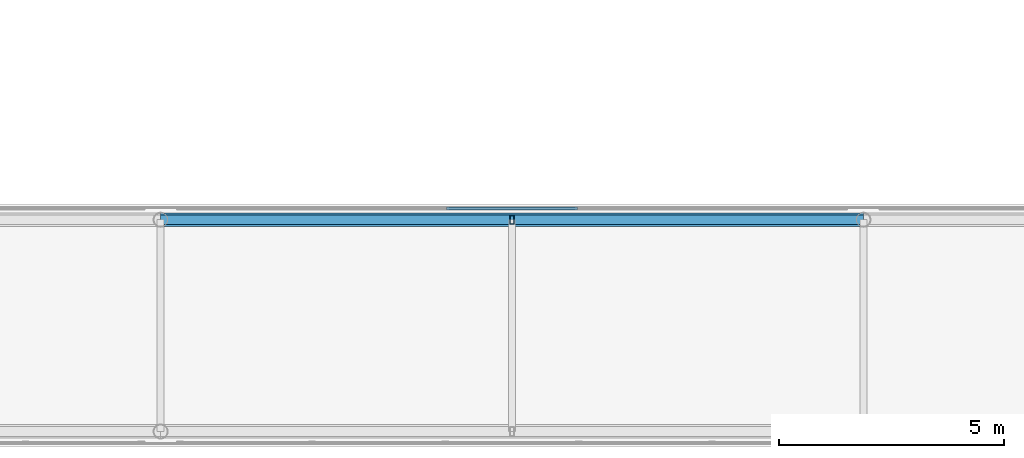
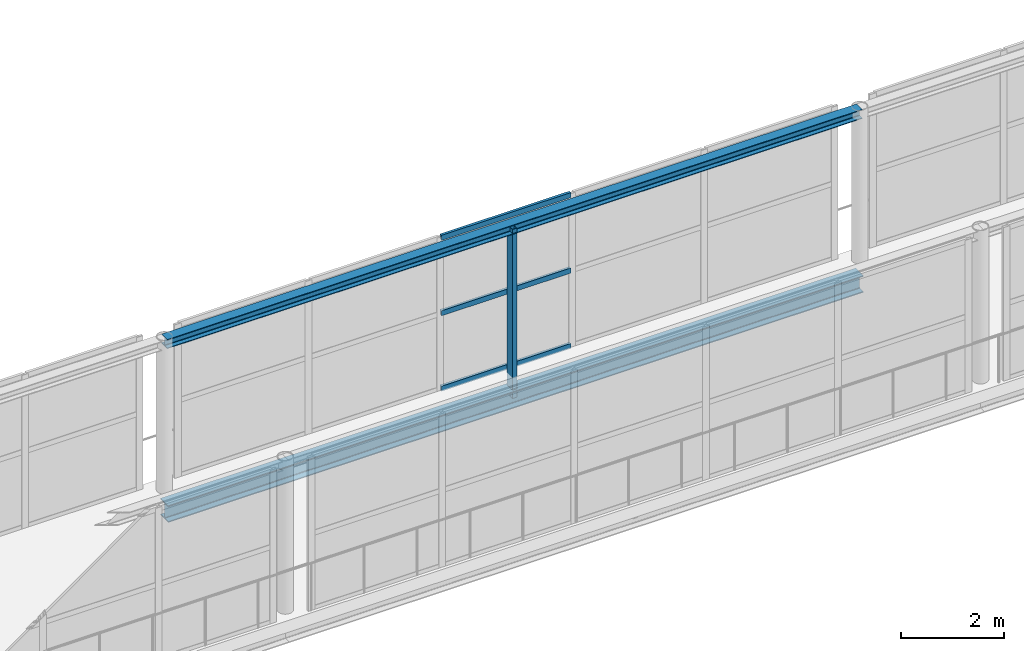
# One storey, part 79 of 175: 5 members, 1 beam, 1 element without a shape of its own.
"""IFC4 building model written with IfcOpenShell, lengths in metres."""

from ifc_helpers import new_model, si_unit, direction, frame, origin, origin_2d, place, context, subcontext, project, spatial, hollow_rectangle, i_section, extrude, material, layer, layer_set, material_profile, profile_set, type_object, element, aggregate, save


model = new_model("IFC4")

# Units and contexts
model_context = context("Model", 3, precision=1e-05, world=origin(), true_north=direction((0.0, 1.0)))
body_context = subcontext(model_context, "Body", "Model", "MODEL_VIEW")
ifc_project = project(units=[si_unit("LENGTHUNIT", "METRE"), si_unit("AREAUNIT", "SQUARE_METRE"), si_unit("VOLUMEUNIT", "CUBIC_METRE"), si_unit("PLANEANGLEUNIT", "RADIAN"), si_unit("MASSUNIT", "GRAM", prefix="KILO")], contexts=[model_context])

# Site, building, storey
site_placement = place(None, origin())
site = spatial("IfcSite", under=ifc_project, at=site_placement, CompositionType="ELEMENT")
building_placement = place(site_placement, origin())
building = spatial("IfcBuilding", under=site, at=building_placement, Name="Zizhar Promenade General Hospital", CompositionType="ELEMENT")
storey_placement = place(building_placement, frame((0.0, 0.0, 4.800048828125)))
storey = spatial("IfcBuildingStorey", under=building, at=storey_placement, Name="L01", CompositionType="ELEMENT", Elevation=4.800048828125)

# Beam
ifc_material_1 = material(Name="Steel S355", Category="steel")
ifc_material_profile_1 = material_profile(ifc_material_1, i_section(OverallWidth=0.300048828125, OverallDepth=0.39990234375, WebThickness=0.013427734375, FlangeThickness=0.02392578125, FilletRadius=0.027099609375, at=origin_2d()))
ifc_profile_set_1 = profile_set([ifc_material_profile_1], Name="Steel S355")
beam_type = type_object("IfcBeamType", Name="BM-STL-HEB400", PredefinedType="BEAM", material=ifc_profile_set_1)
beam_placement = place(storey_placement, frame((85.800048828125, 65.64990234375, -0.5), z_axis=(1.0, 0.0, 0.0), x_axis=(0.0, 1.0, 0.0)))
element("IfcBeam", 1, at=beam_placement, inside=storey, type_object=beam_type, Name="SB-1 Bottom Chord 2N", PredefinedType="BEAM", context=body_context, shape_type="SweptSolid", body=[
    extrude(i_section(OverallWidth=0.300048828125, OverallDepth=0.39990234375, WebThickness=0.013427734375, FlangeThickness=0.02392578125, FilletRadius=0.027099609375, at=origin_2d()), origin(), (0.0, 0.0, 1.0), 15.599853515625),
])

# Curtain wall, members
ifc_material_2 = material(Name="Anodised aluminium 6063-T6 and low-E glass", Category="aluminium")
ifc_layer = layer(ifc_material_2, 0.159912109375)
ifc_layer_set = layer_set([ifc_layer], Name="Anodised aluminium 6063-T6 and low-E glass")
curtain_wall_type = type_object("IfcCurtainWallType", Name="CW-SKY-GLZ", PredefinedType="NOTDEFINED", material=ifc_layer_set)
curtain_wall_placement = place(storey_placement, origin())
curtain_wall = element("IfcCurtainWall", 2, at=curtain_wall_placement, inside=storey, type_object=curtain_wall_type, Name="Courtyard Clinical Skybridge Level L01 North Glazing 2", PredefinedType="NOTDEFINED")
ifc_material_3 = material(Name="Anodised aluminium 6063-T6", Category="aluminium")
ifc_material_profile_2 = material_profile(ifc_material_3, hollow_rectangle(XDim=0.06005859375, YDim=0.1201171875, WallThickness=0.00390625, at=origin_2d()))
ifc_profile_set_2 = profile_set([ifc_material_profile_2], Name="Anodised aluminium 6063-T6")
member_type_1 = type_object("IfcMemberType", Name="CWT-ALU-120x60", PredefinedType="USERDEFINED", material=ifc_profile_set_2)
member_1_placement = place(storey_placement, frame((92.14990234375, 65.89990234375, 0.030029296875), z_axis=(1.0, 0.0, 0.0), x_axis=(0.0, 1.0, 0.0)))
member_1 = element("IfcMember", 3, at=member_1_placement, type_object=member_type_1, Name="CW-15 transom 3.1", ObjectType="TRANSOM", PredefinedType="USERDEFINED", context=body_context, shape_type="SweptSolid", body=[
    extrude(hollow_rectangle(XDim=0.06005859375, YDim=0.1201171875, WallThickness=0.00390625, at=origin_2d()), origin(), (0.0, 0.0, 1.0), 2.900146484375),
])
member_2_placement = place(storey_placement, frame((92.14990234375, 65.89990234375, 1.820068359375), z_axis=(1.0, 0.0, 0.0), x_axis=(0.0, 1.0, 0.0)))
member_2 = element("IfcMember", 4, at=member_2_placement, type_object=member_type_1, Name="CW-15 transom 3.2", ObjectType="TRANSOM", PredefinedType="USERDEFINED", context=body_context, shape_type="SweptSolid", body=[
    extrude(hollow_rectangle(XDim=0.06005859375, YDim=0.1201171875, WallThickness=0.00390625, at=origin_2d()), origin(), (0.0, 0.0, 1.0), 2.900146484375),
])
member_3_placement = place(storey_placement, frame((92.14990234375, 65.89990234375, 3.60986328125), z_axis=(1.0, 0.0, 0.0), x_axis=(0.0, 1.0, 0.0)))
member_3 = element("IfcMember", 5, at=member_3_placement, type_object=member_type_1, Name="CW-15 transom 3.3", ObjectType="TRANSOM", PredefinedType="USERDEFINED", context=body_context, shape_type="SweptSolid", body=[
    extrude(hollow_rectangle(XDim=0.06005859375, YDim=0.1201171875, WallThickness=0.00390625, at=origin_2d()), origin(), (0.0, 0.0, 1.0), 2.900146484375),
])
aggregate(curtain_wall, [member_1, member_2, member_3])

# Members
ifc_material_4 = material(Name="Steel S355", Category="steel")
ifc_material_profile_3 = material_profile(ifc_material_4, i_section(OverallWidth=0.219970703125, OverallDepth=0.219970703125, WebThickness=0.009521484375, FlangeThickness=0.01611328125, FilletRadius=0.01806640625, at=origin_2d()))
ifc_profile_set_3 = profile_set([ifc_material_profile_3], Name="Steel S355")
member_type_2 = type_object("IfcMemberType", Name="MEM-CHORD-HEB220", PredefinedType="CHORD", material=ifc_profile_set_3)
member_4_placement = place(storey_placement, frame((85.800048828125, 65.64990234375, 3.510009765625), z_axis=(1.0, 0.0, 0.0), x_axis=(0.0, 1.0, 0.0)))
element("IfcMember", 6, at=member_4_placement, inside=storey, type_object=member_type_2, Name="SB-1 Top Chord 2N", PredefinedType="CHORD", context=body_context, shape_type="SweptSolid", body=[
    extrude(i_section(OverallWidth=0.219970703125, OverallDepth=0.219970703125, WebThickness=0.009521484375, FlangeThickness=0.01611328125, FilletRadius=0.01806640625, at=origin_2d()), origin(), (0.0, 0.0, 1.0), 15.599853515625),
])
ifc_material_5 = material(Name="Steel S355", Category="steel")
ifc_material_profile_4 = material_profile(ifc_material_5, hollow_rectangle(XDim=0.10009765625, YDim=0.199951171875, WallThickness=0.008056640625, at=origin_2d()))
ifc_profile_set_4 = profile_set([ifc_material_profile_4], Name="Steel S355")
member_type_3 = type_object("IfcMemberType", Name="MEM-STRUT-RHS200", PredefinedType="STRUT", material=ifc_profile_set_4)
member_5_placement = place(storey_placement, frame((93.60009765625, 65.64990234375, -0.5), z_axis=(0.0, 0.0, 1.0), x_axis=(1.0, 0.0, 0.0)))
element("IfcMember", 7, at=member_5_placement, inside=storey, type_object=member_type_3, Name="SB-1 Vierendeel Post 2N", PredefinedType="STRUT", context=body_context, shape_type="SweptSolid", body=[
    extrude(hollow_rectangle(XDim=0.10009765625, YDim=0.199951171875, WallThickness=0.008056640625, at=origin_2d()), origin(), (0.0, 0.0, 1.0), 4.010009765625),
])

save(model, "model.ifc")
